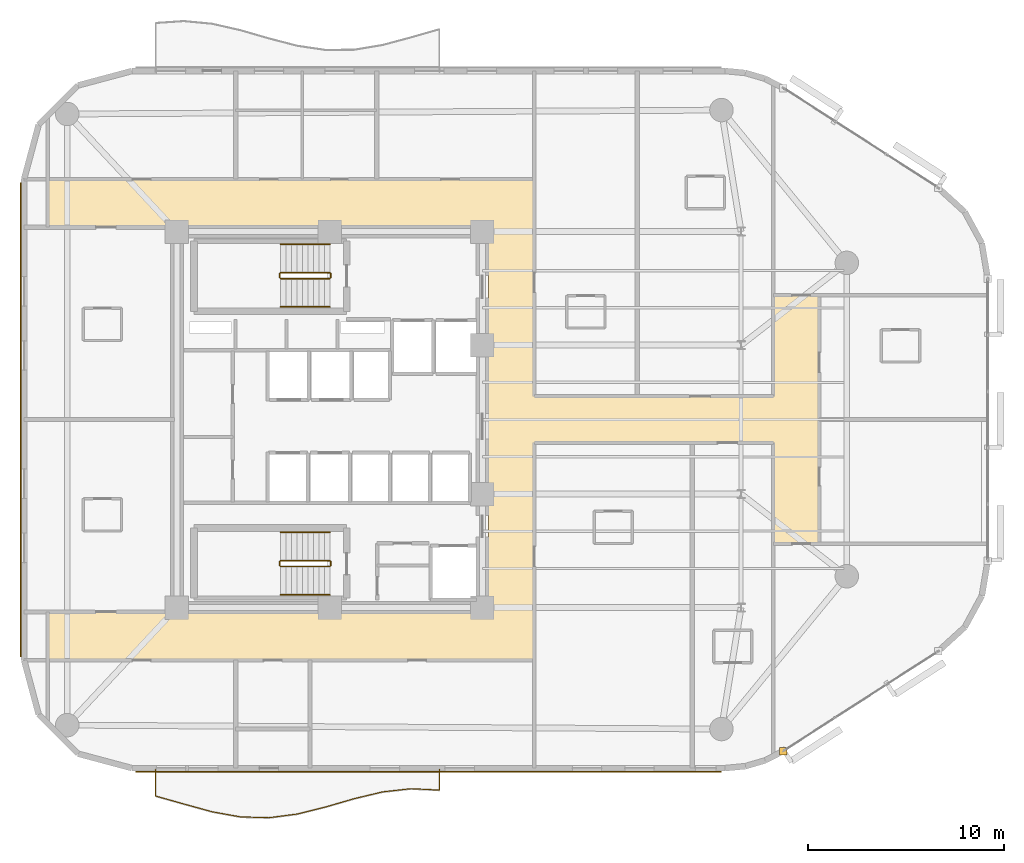
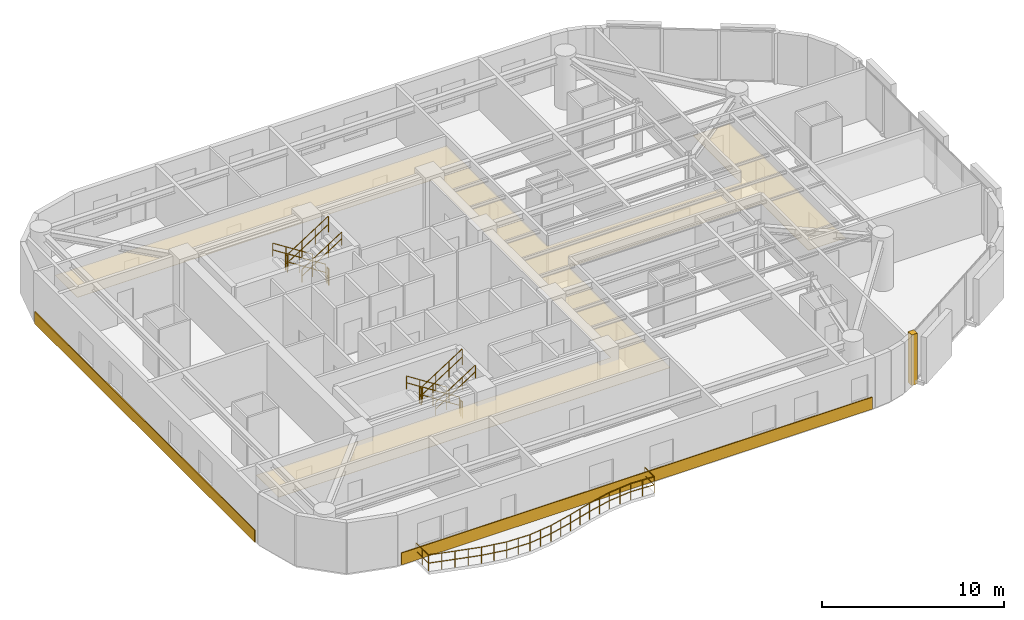
# One storey, part 14 of 15: 13 railings, 4 coverings.
"""IFC4 building model written with IfcOpenShell, lengths in metres."""

from ifc_helpers import new_model, si_unit, direction, frame, origin, origin_2d, place, context, subcontext, project, spatial, polyline, rectangle, circle, outline, extrude, material, layer, layer_set, type_object, element, save


model = new_model("IFC4")

# Units and contexts
model_context = context("Model", 3, precision=1e-05, world=origin(), true_north=direction((0.0, 1.0)))
body_context = subcontext(model_context, "Body", "Model", "MODEL_VIEW")
ifc_project = project(units=[si_unit("LENGTHUNIT", "METRE"), si_unit("AREAUNIT", "SQUARE_METRE"), si_unit("VOLUMEUNIT", "CUBIC_METRE"), si_unit("PLANEANGLEUNIT", "RADIAN"), si_unit("MASSUNIT", "GRAM", prefix="KILO")], contexts=[model_context])

# Site, building, storey
site_placement = place(None, origin())
site = spatial("IfcSite", under=ifc_project, at=site_placement, CompositionType="ELEMENT")
building_placement = place(site_placement, origin())
building = spatial("IfcBuilding", under=site, at=building_placement, Name="An Khanh Terracotta Commons", CompositionType="ELEMENT")
storey_placement = place(building_placement, frame((0.0, 0.0, 147.39990234375)))
storey = spatial("IfcBuildingStorey", under=building, at=storey_placement, Name="L38", CompositionType="ELEMENT", Elevation=147.39990234375)

# Coverings
ifc_material_1 = material(Name="Perforated Mineral-Fibre Acoustic Tile")
ifc_layer_1 = layer(ifc_material_1, 0.02001953125, Name="Perforated Mineral-Fibre Acoustic Tile")
ifc_layer_set_1 = layer_set([ifc_layer_1], Name="Perforated Mineral-Fibre Acoustic Tile")
covering_type_1 = type_object("IfcCoveringType", Name="CEIL-ACOUSTIC-18", PredefinedType="CEILING", material=ifc_layer_set_1)
covering_1_placement = place(storey_placement, frame((0.0, 0.0, 2.650146484375)))
element("IfcCovering", 1, at=covering_1_placement, inside=storey, type_object=covering_type_1, Name="L38 Corridor Ceiling", PredefinedType="CEILING", context=body_context, shape_type="SweptSolid", body=[
    extrude(outline(polyline([(15.0, 11.719970703125), (15.0, 14.179931640625), (37.5, 14.179931640625), (37.5, 33.820068359375), (15.0, 33.820068359375), (15.0, 36.280029296875), (37.5, 36.280029296875), (39.85009765625, 36.280029296875), (39.85009765625, 33.820068359375), (39.85009765625, 25.179931640625), (52.050048828125, 25.179931640625), (52.050048828125, 30.35009765625), (54.39990234375, 30.35009765625), (54.39990234375, 25.179931640625), (54.39990234375, 22.820068359375), (54.39990234375, 17.64990234375), (52.050048828125, 17.64990234375), (52.050048828125, 22.820068359375), (39.85009765625, 22.820068359375), (39.85009765625, 14.179931640625), (39.85009765625, 11.719970703125), (37.5, 11.719970703125), (15.0, 11.719970703125)])), origin(), (0.0, 0.0, 1.0), 0.02001953125),
])
ifc_material_2 = material(Name="Fired Terracotta Rainscreen Cladding", Category="masonry")
ifc_layer_2 = layer(ifc_material_2, 0.080078125, Name="Fired Terracotta Rainscreen Cladding")
ifc_layer_set_2 = layer_set([ifc_layer_2], Name="Fired Terracotta Rainscreen Cladding")
covering_type_2 = type_object("IfcCoveringType", Name="COV-JAMB-TERRA", PredefinedType="CLADDING", material=ifc_layer_set_2)
covering_2_placement = place(storey_placement, frame((52.56005859375, 7.075927734375, 0.000244140625), z_axis=(0.0, 0.0, 1.0), x_axis=(1.0, 0.0, 0.0)))
element("IfcCovering", 2, at=covering_2_placement, inside=storey, type_object=covering_type_2, Name="L38 CW-03 Curtain-Wall Jamb Closure JA", PredefinedType="CLADDING", context=body_context, shape_type="SweptSolid", body=[
    extrude(rectangle(XDim=0.3798828125, YDim=0.3798828125, at=origin_2d()), origin(), (0.0, 0.0, 1.0), 3.39990234375),
])
ifc_layer_3 = layer(ifc_material_2, 0.06005859375, Name="Fired Terracotta Rainscreen Cladding")
ifc_layer_set_3 = layer_set([ifc_layer_3], Name="Fired Terracotta Rainscreen Cladding")
covering_type_3 = type_object("IfcCoveringType", Name="COV-SPANDREL-TERRA", PredefinedType="CLADDING", material=ifc_layer_set_3)
covering_3_placement = place(storey_placement, frame((34.44091796875, 6.02001953125, 0.02001953125), z_axis=(0.0, 0.0, 1.0), x_axis=(1.0, 0.0, 0.0)))
element("IfcCovering", 3, at=covering_3_placement, inside=storey, type_object=covering_type_3, Name="L38 Terracotta Spandrel Cladding 4", PredefinedType="CLADDING", context=body_context, shape_type="SweptSolid", body=[
    extrude(rectangle(XDim=29.882080078125, YDim=0.06005859375, at=origin_2d()), origin(), (0.0, 0.0, 1.0), 0.800048828125),
])
covering_4_placement = place(storey_placement, frame((13.6201171875, 24.0, 0.02001953125), z_axis=(0.0, 0.0, 1.0), x_axis=(0.0, -1.0, 0.0)))
element("IfcCovering", 4, at=covering_4_placement, inside=storey, type_object=covering_type_3, Name="L38 Terracotta Spandrel Cladding 24", PredefinedType="CLADDING", context=body_context, shape_type="SweptSolid", body=[
    extrude(rectangle(XDim=24.199951171875, YDim=0.06005859375, at=origin_2d()), origin(), (0.0, 0.0, 1.0), 0.800048828125),
])

# Railings
ifc_material_3 = material(Name="Brushed Stainless Steel 316", Category="steel")
railing_type_1 = type_object("IfcRailingType", Name="RAIL-BALUSTRADE-1100", PredefinedType="BALUSTRADE", material=ifc_material_3)
railing_1_placement = place(storey_placement, frame((20.5, 6.139892578125, 0.0)))
element("IfcRailing", 5, at=railing_1_placement, inside=storey, type_object=railing_type_1, Name="L38 S Wave Balcony Guard Balustrade", PredefinedType="BALUSTRADE", context=body_context, shape_type="SweptSolid", body=[
    extrude(circle(Radius=0.02392578125, at=origin_2d()), frame((0.0, 0.0, 1.076171875), z_axis=(0.0, -1.0, 0.0), x_axis=(1.0, 0.0, 0.0)), (0.0, 0.0, 1.0), 1.35498046875),
    extrude(circle(Radius=0.02392578125, at=origin_2d()), frame((0.0, 0.0, 0.52587890625), z_axis=(0.0, -1.0, 0.0), x_axis=(1.0, 0.0, 0.0)), (0.0, 0.0, 1.0), 1.35498046875),
    extrude(circle(Radius=0.02392578125, at=origin_2d()), frame((0.0, -1.35498046875, 1.076171875), z_axis=(0.962454018427, -0.271444768625, 0.0), x_axis=(0.271444768625, 0.962454018427, 0.0)), (0.0, 0.0, 1.0), 1.506591796875),
    extrude(circle(Radius=0.02392578125, at=origin_2d()), frame((0.0, -1.35498046875, 0.52587890625), z_axis=(0.962454018427, -0.271444768625, 0.0), x_axis=(0.271444768625, 0.962454018427, 0.0)), (0.0, 0.0, 1.0), 1.506591796875),
    extrude(circle(Radius=0.02392578125, at=origin_2d()), frame((1.449951171875, -1.763916015625, 1.076171875), z_axis=(0.964173218361, -0.265273453242, 0.0), x_axis=(0.265273453242, 0.964173218361, 0.0)), (0.0, 0.0, 1.0), 1.50390625),
    extrude(circle(Radius=0.02392578125, at=origin_2d()), frame((1.449951171875, -1.763916015625, 0.52587890625), z_axis=(0.964173218361, -0.265273453242, 0.0), x_axis=(0.265273453242, 0.964173218361, 0.0)), (0.0, 0.0, 1.0), 1.50390625),
    extrude(circle(Radius=0.02392578125, at=origin_2d()), frame((2.89990234375, -2.162841796875, 1.076171875), z_axis=(0.984073373792, -0.177762749172, 0.0), x_axis=(0.177762749172, 0.984073373792, 0.0)), (0.0, 0.0, 1.0), 1.4736328125),
    extrude(circle(Radius=0.02392578125, at=origin_2d()), frame((2.89990234375, -2.162841796875, 0.52587890625), z_axis=(0.984073373792, -0.177762749172, 0.0), x_axis=(0.177762749172, 0.984073373792, 0.0)), (0.0, 0.0, 1.0), 1.4736328125),
    extrude(circle(Radius=0.02392578125, at=origin_2d()), frame((4.35009765625, -2.4248046875, 1.076171875), z_axis=(0.999580890837, -0.028948966699, 0.0), x_axis=(0.028948966699, 0.999580890837, 0.0)), (0.0, 0.0, 1.0), 1.450439453125),
    extrude(circle(Radius=0.02392578125, at=origin_2d()), frame((4.35009765625, -2.4248046875, 0.52587890625), z_axis=(0.999580890837, -0.028948966699, 0.0), x_axis=(0.028948966699, 0.999580890837, 0.0)), (0.0, 0.0, 1.0), 1.450439453125),
    extrude(circle(Radius=0.02392578125, at=origin_2d()), frame((5.800048828125, -2.466796875, 1.076171875), z_axis=(0.991528574992, 0.129888740755, 0.0), x_axis=(-0.129888740755, 0.991528574992, 0.0)), (0.0, 0.0, 1.0), 1.46240234375),
    extrude(circle(Radius=0.02392578125, at=origin_2d()), frame((5.800048828125, -2.466796875, 0.52587890625), z_axis=(0.991528574992, 0.129888740755, 0.0), x_axis=(-0.129888740755, 0.991528574992, 0.0)), (0.0, 0.0, 1.0), 1.46240234375),
    extrude(circle(Radius=0.02392578125, at=origin_2d()), frame((7.25, -2.27685546875, 1.076171875), z_axis=(0.970209729733, 0.242266548105, 0.0), x_axis=(-0.242266548105, 0.970209729733, 0.0)), (0.0, 0.0, 1.0), 1.494384765625),
    extrude(circle(Radius=0.02392578125, at=origin_2d()), frame((7.25, -2.27685546875, 0.52587890625), z_axis=(0.970209729733, 0.242266548105, 0.0), x_axis=(-0.242266548105, 0.970209729733, 0.0)), (0.0, 0.0, 1.0), 1.494384765625),
    extrude(circle(Radius=0.02392578125, at=origin_2d()), frame((8.699951171875, -1.914794921875, 1.076171875), z_axis=(0.960356002851, 0.278776519434, 0.0), x_axis=(-0.278776519434, 0.960356002851, 0.0)), (0.0, 0.0, 1.0), 1.509765625),
    extrude(circle(Radius=0.02392578125, at=origin_2d()), frame((8.699951171875, -1.914794921875, 0.52587890625), z_axis=(0.960356002851, 0.278776519434, 0.0), x_axis=(-0.278776519434, 0.960356002851, 0.0)), (0.0, 0.0, 1.0), 1.509765625),
    extrude(circle(Radius=0.02392578125, at=origin_2d()), frame((10.14990234375, -1.493896484375, 1.076171875), z_axis=(0.97255795483, 0.2326607498, 0.0), x_axis=(-0.2326607498, 0.97255795483, 0.0)), (0.0, 0.0, 1.0), 1.4912109375),
    extrude(circle(Radius=0.02392578125, at=origin_2d()), frame((10.14990234375, -1.493896484375, 0.52587890625), z_axis=(0.97255795483, 0.2326607498, 0.0), x_axis=(-0.2326607498, 0.97255795483, 0.0)), (0.0, 0.0, 1.0), 1.4912109375),
    extrude(circle(Radius=0.02392578125, at=origin_2d()), frame((11.60009765625, -1.14697265625, 1.076171875), z_axis=(0.993807997131, 0.11111104733, 0.0), x_axis=(-0.11111104733, 0.993807997131, 0.0)), (0.0, 0.0, 1.0), 1.458984375),
    extrude(circle(Radius=0.02392578125, at=origin_2d()), frame((11.60009765625, -1.14697265625, 0.52587890625), z_axis=(0.993807997131, 0.11111104733, 0.0), x_axis=(-0.11111104733, 0.993807997131, 0.0)), (0.0, 0.0, 1.0), 1.458984375),
    extrude(circle(Radius=0.02392578125, at=origin_2d()), frame((13.050048828125, -0.98486328125, 1.076171875), z_axis=(0.998768641109, -0.049610498253, 0.0), x_axis=(0.049610498253, 0.998768641109, 0.0)), (0.0, 0.0, 1.0), 1.45166015625),
    extrude(circle(Radius=0.02392578125, at=origin_2d()), frame((13.050048828125, -0.98486328125, 0.52587890625), z_axis=(0.998768641109, -0.049610498253, 0.0), x_axis=(0.049610498253, 0.998768641109, 0.0)), (0.0, 0.0, 1.0), 1.45166015625),
    extrude(circle(Radius=0.02392578125, at=origin_2d()), frame((14.5, -1.056884765625, 1.076171875), z_axis=(0.0, 1.0, 0.0), x_axis=(-1.0, 0.0, 0.0)), (0.0, 0.0, 1.0), 1.056884765625),
    extrude(circle(Radius=0.02392578125, at=origin_2d()), frame((14.5, -1.056884765625, 0.52587890625), z_axis=(0.0, 1.0, 0.0), x_axis=(-1.0, 0.0, 0.0)), (0.0, 0.0, 1.0), 1.056884765625),
    extrude(circle(Radius=0.02099609375, at=origin_2d()), origin(), (0.0, 0.0, 1.0), 1.052001953125),
    extrude(circle(Radius=0.02099609375, at=origin_2d()), frame((0.0, -0.677490234375, 0.0)), (0.0, 0.0, 1.0), 1.052001953125),
    extrude(circle(Radius=0.02099609375, at=origin_2d()), frame((0.0, -1.35498046875, 0.0)), (0.0, 0.0, 1.0), 1.052001953125),
    extrude(circle(Radius=0.02099609375, at=origin_2d()), frame((0.72509765625, -1.5595703125, 0.0)), (0.0, 0.0, 1.0), 1.052001953125),
    extrude(circle(Radius=0.02099609375, at=origin_2d()), frame((1.449951171875, -1.763916015625, 0.0)), (0.0, 0.0, 1.0), 1.052001953125),
    extrude(circle(Radius=0.02099609375, at=origin_2d()), frame((2.1748046875, -1.96337890625, 0.0)), (0.0, 0.0, 1.0), 1.052001953125),
    extrude(circle(Radius=0.02099609375, at=origin_2d()), frame((2.89990234375, -2.162841796875, 0.0)), (0.0, 0.0, 1.0), 1.052001953125),
    extrude(circle(Radius=0.02099609375, at=origin_2d()), frame((3.625, -2.2939453125, 0.0)), (0.0, 0.0, 1.0), 1.052001953125),
    extrude(circle(Radius=0.02099609375, at=origin_2d()), frame((4.35009765625, -2.4248046875, 0.0)), (0.0, 0.0, 1.0), 1.052001953125),
    extrude(circle(Radius=0.02099609375, at=origin_2d()), frame((5.0751953125, -2.44580078125, 0.0)), (0.0, 0.0, 1.0), 1.052001953125),
    extrude(circle(Radius=0.02099609375, at=origin_2d()), frame((5.800048828125, -2.466796875, 0.0)), (0.0, 0.0, 1.0), 1.052001953125),
    extrude(circle(Radius=0.02099609375, at=origin_2d()), frame((6.52490234375, -2.371826171875, 0.0)), (0.0, 0.0, 1.0), 1.052001953125),
    extrude(circle(Radius=0.02099609375, at=origin_2d()), frame((7.25, -2.27685546875, 0.0)), (0.0, 0.0, 1.0), 1.052001953125),
    extrude(circle(Radius=0.02099609375, at=origin_2d()), frame((7.97509765625, -2.095703125, 0.0)), (0.0, 0.0, 1.0), 1.052001953125),
    extrude(circle(Radius=0.02099609375, at=origin_2d()), frame((8.699951171875, -1.914794921875, 0.0)), (0.0, 0.0, 1.0), 1.052001953125),
    extrude(circle(Radius=0.02099609375, at=origin_2d()), frame((9.4248046875, -1.704345703125, 0.0)), (0.0, 0.0, 1.0), 1.052001953125),
    extrude(circle(Radius=0.02099609375, at=origin_2d()), frame((10.14990234375, -1.493896484375, 0.0)), (0.0, 0.0, 1.0), 1.052001953125),
    extrude(circle(Radius=0.02099609375, at=origin_2d()), frame((10.875, -1.3203125, 0.0)), (0.0, 0.0, 1.0), 1.052001953125),
    extrude(circle(Radius=0.02099609375, at=origin_2d()), frame((11.60009765625, -1.14697265625, 0.0)), (0.0, 0.0, 1.0), 1.052001953125),
    extrude(circle(Radius=0.02099609375, at=origin_2d()), frame((12.3251953125, -1.06591796875, 0.0)), (0.0, 0.0, 1.0), 1.052001953125),
    extrude(circle(Radius=0.02099609375, at=origin_2d()), frame((13.050048828125, -0.98486328125, 0.0)), (0.0, 0.0, 1.0), 1.052001953125),
    extrude(circle(Radius=0.02099609375, at=origin_2d()), frame((13.77490234375, -1.02099609375, 0.0)), (0.0, 0.0, 1.0), 1.052001953125),
    extrude(circle(Radius=0.02099609375, at=origin_2d()), frame((14.5, -1.056884765625, 0.0)), (0.0, 0.0, 1.0), 1.052001953125),
    extrude(circle(Radius=0.02099609375, at=origin_2d()), frame((14.5, 0.0, 0.0)), (0.0, 0.0, 1.0), 1.052001953125),
])
railing_type_2 = type_object("IfcRailingType", Name="RAIL-HANDRAIL-900", PredefinedType="HANDRAIL", material=ifc_material_3)
railing_2_placement = place(storey_placement, frame((29.409912109375, 32.949951171875, 0.18017578125)))
element("IfcRailing", 6, at=railing_2_placement, inside=storey, type_object=railing_type_2, Name="L38 ST-01 stair handrail 1", PredefinedType="HANDRAIL", context=body_context, shape_type="SweptSolid", body=[
    extrude(circle(Radius=0.02392578125, at=origin_2d()), frame((0.0, 0.0, 0.8759765625), z_axis=(-0.841199657755, 0.0, 0.540724639528), x_axis=(0.0, -1.0, 0.0)), (0.0, 0.0, 1.0), 2.995849609375),
    extrude(circle(Radius=0.02392578125, at=origin_2d()), frame((0.0, 0.0, 0.42578125), z_axis=(-0.841199657755, 0.0, 0.540724639528), x_axis=(0.0, -1.0, 0.0)), (0.0, 0.0, 1.0), 2.995849609375),
    extrude(circle(Radius=0.02099609375, at=origin_2d()), origin(), (0.0, 0.0, 1.0), 0.851806640625),
    extrude(circle(Radius=0.02099609375, at=origin_2d()), frame((-0.840087890625, 0.0, 0.5400390625)), (0.0, 0.0, 1.0), 0.851806640625),
    extrude(circle(Radius=0.02099609375, at=origin_2d()), frame((-1.679931640625, 0.0, 1.079833984375)), (0.0, 0.0, 1.0), 0.851806640625),
    extrude(circle(Radius=0.02099609375, at=origin_2d()), frame((-2.52001953125, 0.0, 1.619873046875)), (0.0, 0.0, 1.0), 0.851806640625),
])
railing_3_placement = place(storey_placement, frame((26.889892578125, 29.75, 1.97998046875)))
element("IfcRailing", 7, at=railing_3_placement, inside=storey, type_object=railing_type_2, Name="L38 ST-01 stair handrail 2", PredefinedType="HANDRAIL", context=body_context, shape_type="SweptSolid", body=[
    extrude(circle(Radius=0.02392578125, at=origin_2d()), frame((0.0, 0.0, 0.8759765625), z_axis=(0.841162588446, 0.0, 0.540782303519), x_axis=(0.0, 1.0, 0.0)), (0.0, 0.0, 1.0), 2.995849609375),
    extrude(circle(Radius=0.02392578125, at=origin_2d()), frame((0.0, 0.0, 0.42578125), z_axis=(0.841162588446, 0.0, 0.540782303519), x_axis=(0.0, 1.0, 0.0)), (0.0, 0.0, 1.0), 2.995849609375),
    extrude(circle(Radius=0.02099609375, at=origin_2d()), origin(), (0.0, 0.0, 1.0), 0.851806640625),
    extrude(circle(Radius=0.02099609375, at=origin_2d()), frame((0.840087890625, 0.0, 0.5400390625)), (0.0, 0.0, 1.0), 0.851806640625),
    extrude(circle(Radius=0.02099609375, at=origin_2d()), frame((1.679931640625, 0.0, 1.080078125)), (0.0, 0.0, 1.0), 0.851806640625),
    extrude(circle(Radius=0.02099609375, at=origin_2d()), frame((2.52001953125, 0.0, 1.6201171875)), (0.0, 0.0, 1.0), 0.851806640625),
])
railing_4_placement = place(storey_placement, frame((29.409912109375, 18.25, 0.18017578125)))
element("IfcRailing", 8, at=railing_4_placement, inside=storey, type_object=railing_type_2, Name="L38 ST-02 stair handrail 1", PredefinedType="HANDRAIL", context=body_context, shape_type="SweptSolid", body=[
    extrude(circle(Radius=0.02392578125, at=origin_2d()), frame((0.0, 0.0, 0.8759765625), z_axis=(-0.841199657755, 0.0, 0.540724639528), x_axis=(0.0, -1.0, 0.0)), (0.0, 0.0, 1.0), 2.995849609375),
    extrude(circle(Radius=0.02392578125, at=origin_2d()), frame((0.0, 0.0, 0.42578125), z_axis=(-0.841199657755, 0.0, 0.540724639528), x_axis=(0.0, -1.0, 0.0)), (0.0, 0.0, 1.0), 2.995849609375),
    extrude(circle(Radius=0.02099609375, at=origin_2d()), origin(), (0.0, 0.0, 1.0), 0.851806640625),
    extrude(circle(Radius=0.02099609375, at=origin_2d()), frame((-0.840087890625, 0.0, 0.5400390625)), (0.0, 0.0, 1.0), 0.851806640625),
    extrude(circle(Radius=0.02099609375, at=origin_2d()), frame((-1.679931640625, 0.0, 1.079833984375)), (0.0, 0.0, 1.0), 0.851806640625),
    extrude(circle(Radius=0.02099609375, at=origin_2d()), frame((-2.52001953125, 0.0, 1.619873046875)), (0.0, 0.0, 1.0), 0.851806640625),
])
railing_5_placement = place(storey_placement, frame((26.889892578125, 15.050048828125, 1.97998046875)))
element("IfcRailing", 9, at=railing_5_placement, inside=storey, type_object=railing_type_2, Name="L38 ST-02 stair handrail 2", PredefinedType="HANDRAIL", context=body_context, shape_type="SweptSolid", body=[
    extrude(circle(Radius=0.02392578125, at=origin_2d()), frame((0.0, 0.0, 0.8759765625), z_axis=(0.841162588446, 0.0, 0.540782303519), x_axis=(0.0, 1.0, 0.0)), (0.0, 0.0, 1.0), 2.995849609375),
    extrude(circle(Radius=0.02392578125, at=origin_2d()), frame((0.0, 0.0, 0.42578125), z_axis=(0.841162588446, 0.0, 0.540782303519), x_axis=(0.0, 1.0, 0.0)), (0.0, 0.0, 1.0), 2.995849609375),
    extrude(circle(Radius=0.02099609375, at=origin_2d()), origin(), (0.0, 0.0, 1.0), 0.851806640625),
    extrude(circle(Radius=0.02099609375, at=origin_2d()), frame((0.840087890625, 0.0, 0.5400390625)), (0.0, 0.0, 1.0), 0.851806640625),
    extrude(circle(Radius=0.02099609375, at=origin_2d()), frame((1.679931640625, 0.0, 1.080078125)), (0.0, 0.0, 1.0), 0.851806640625),
    extrude(circle(Radius=0.02099609375, at=origin_2d()), frame((2.52001953125, 0.0, 1.6201171875)), (0.0, 0.0, 1.0), 0.851806640625),
])
ifc_material_4 = material(Name="Powder-Coated Steel S355J2", Category="steel")
railing_type_3 = type_object("IfcRailingType", Name="RAIL-STAIR-GUARD-1100", PredefinedType="BALUSTRADE", material=ifc_material_4)
railing_6_placement = place(storey_placement, frame((29.409912109375, 31.5, 0.18017578125)))
element("IfcRailing", 10, at=railing_6_placement, inside=storey, type_object=railing_type_3, Name="L38 ST-01 stair guard 1", PredefinedType="BALUSTRADE", context=body_context, shape_type="SweptSolid", body=[
    extrude(circle(Radius=0.02392578125, at=origin_2d()), frame((0.0, 0.0, 1.076171875), z_axis=(-0.841199657755, 0.0, 0.540724639528), x_axis=(0.0, -1.0, 0.0)), (0.0, 0.0, 1.0), 2.995849609375),
    extrude(circle(Radius=0.02392578125, at=origin_2d()), frame((0.0, 0.0, 0.52587890625), z_axis=(-0.841199657755, 0.0, 0.540724639528), x_axis=(0.0, -1.0, 0.0)), (0.0, 0.0, 1.0), 2.995849609375),
    extrude(circle(Radius=0.02099609375, at=origin_2d()), origin(), (0.0, 0.0, 1.0), 1.052001953125),
    extrude(circle(Radius=0.02099609375, at=origin_2d()), frame((-0.840087890625, 0.0, 0.5400390625)), (0.0, 0.0, 1.0), 1.052001953125),
    extrude(circle(Radius=0.02099609375, at=origin_2d()), frame((-1.679931640625, 0.0, 1.079833984375)), (0.0, 0.0, 1.0), 1.052001953125),
    extrude(circle(Radius=0.02099609375, at=origin_2d()), frame((-2.52001953125, 0.0, 1.619873046875)), (0.0, 0.0, 1.0), 1.052001953125),
])
railing_7_placement = place(storey_placement, frame((26.840087890625, 31.449951171875, 1.800048828125)))
element("IfcRailing", 11, at=railing_7_placement, inside=storey, type_object=railing_type_3, Name="L38 ST-01 stair guard 2", PredefinedType="BALUSTRADE", context=body_context, shape_type="SweptSolid", body=[
    extrude(circle(Radius=0.02392578125, at=origin_2d()), frame((0.0, 0.0, 1.076171875), z_axis=(0.0, -1.0, 0.0), x_axis=(1.0, 0.0, 0.0)), (0.0, 0.0, 1.0), 0.199951171875),
    extrude(circle(Radius=0.02392578125, at=origin_2d()), frame((0.0, 0.0, 0.52587890625), z_axis=(0.0, -1.0, 0.0), x_axis=(1.0, 0.0, 0.0)), (0.0, 0.0, 1.0), 0.199951171875),
    extrude(circle(Radius=0.02099609375, at=origin_2d()), origin(), (0.0, 0.0, 1.0), 1.052001953125),
    extrude(circle(Radius=0.02099609375, at=origin_2d()), frame((0.0, -0.199951171875, 0.0)), (0.0, 0.0, 1.0), 1.052001953125),
])
railing_8_placement = place(storey_placement, frame((26.889892578125, 31.199951171875, 1.97998046875)))
element("IfcRailing", 12, at=railing_8_placement, inside=storey, type_object=railing_type_3, Name="L38 ST-01 stair guard 3", PredefinedType="BALUSTRADE", context=body_context, shape_type="SweptSolid", body=[
    extrude(circle(Radius=0.02392578125, at=origin_2d()), frame((0.0, 0.0, 1.076171875), z_axis=(0.841162588446, 0.0, 0.540782303519), x_axis=(0.0, 1.0, 0.0)), (0.0, 0.0, 1.0), 2.995849609375),
    extrude(circle(Radius=0.02392578125, at=origin_2d()), frame((0.0, 0.0, 0.52587890625), z_axis=(0.841162588446, 0.0, 0.540782303519), x_axis=(0.0, 1.0, 0.0)), (0.0, 0.0, 1.0), 2.995849609375),
    extrude(circle(Radius=0.02099609375, at=origin_2d()), origin(), (0.0, 0.0, 1.0), 1.052001953125),
    extrude(circle(Radius=0.02099609375, at=origin_2d()), frame((0.840087890625, 0.0, 0.5400390625)), (0.0, 0.0, 1.0), 1.052001953125),
    extrude(circle(Radius=0.02099609375, at=origin_2d()), frame((1.679931640625, 0.0, 1.080078125)), (0.0, 0.0, 1.0), 1.052001953125),
    extrude(circle(Radius=0.02099609375, at=origin_2d()), frame((2.52001953125, 0.0, 1.6201171875)), (0.0, 0.0, 1.0), 1.052001953125),
])
railing_9_placement = place(storey_placement, frame((29.4599609375, 31.449951171875, 0.0)))
element("IfcRailing", 13, at=railing_9_placement, inside=storey, type_object=railing_type_3, Name="L38 ST-01 stair guard 4", PredefinedType="BALUSTRADE", context=body_context, shape_type="SweptSolid", body=[
    extrude(circle(Radius=0.02392578125, at=origin_2d()), frame((0.0, 0.0, 1.076171875), z_axis=(0.0, -1.0, 0.0), x_axis=(1.0, 0.0, 0.0)), (0.0, 0.0, 1.0), 0.199951171875),
    extrude(circle(Radius=0.02392578125, at=origin_2d()), frame((0.0, 0.0, 0.52587890625), z_axis=(0.0, -1.0, 0.0), x_axis=(1.0, 0.0, 0.0)), (0.0, 0.0, 1.0), 0.199951171875),
    extrude(circle(Radius=0.02099609375, at=origin_2d()), origin(), (0.0, 0.0, 1.0), 1.052001953125),
    extrude(circle(Radius=0.02099609375, at=origin_2d()), frame((0.0, -0.199951171875, 0.0)), (0.0, 0.0, 1.0), 1.052001953125),
])
railing_10_placement = place(storey_placement, frame((29.409912109375, 16.800048828125, 0.18017578125)))
element("IfcRailing", 14, at=railing_10_placement, inside=storey, type_object=railing_type_3, Name="L38 ST-02 stair guard 1", PredefinedType="BALUSTRADE", context=body_context, shape_type="SweptSolid", body=[
    extrude(circle(Radius=0.02392578125, at=origin_2d()), frame((0.0, 0.0, 1.076171875), z_axis=(-0.841199657755, 0.0, 0.540724639528), x_axis=(0.0, -1.0, 0.0)), (0.0, 0.0, 1.0), 2.995849609375),
    extrude(circle(Radius=0.02392578125, at=origin_2d()), frame((0.0, 0.0, 0.52587890625), z_axis=(-0.841199657755, 0.0, 0.540724639528), x_axis=(0.0, -1.0, 0.0)), (0.0, 0.0, 1.0), 2.995849609375),
    extrude(circle(Radius=0.02099609375, at=origin_2d()), origin(), (0.0, 0.0, 1.0), 1.052001953125),
    extrude(circle(Radius=0.02099609375, at=origin_2d()), frame((-0.840087890625, 0.0, 0.5400390625)), (0.0, 0.0, 1.0), 1.052001953125),
    extrude(circle(Radius=0.02099609375, at=origin_2d()), frame((-1.679931640625, 0.0, 1.079833984375)), (0.0, 0.0, 1.0), 1.052001953125),
    extrude(circle(Radius=0.02099609375, at=origin_2d()), frame((-2.52001953125, 0.0, 1.619873046875)), (0.0, 0.0, 1.0), 1.052001953125),
])
railing_11_placement = place(storey_placement, frame((26.840087890625, 16.75, 1.800048828125)))
element("IfcRailing", 15, at=railing_11_placement, inside=storey, type_object=railing_type_3, Name="L38 ST-02 stair guard 2", PredefinedType="BALUSTRADE", context=body_context, shape_type="SweptSolid", body=[
    extrude(circle(Radius=0.02392578125, at=origin_2d()), frame((0.0, 0.0, 1.076171875), z_axis=(0.0, -1.0, 0.0), x_axis=(1.0, 0.0, 0.0)), (0.0, 0.0, 1.0), 0.199951171875),
    extrude(circle(Radius=0.02392578125, at=origin_2d()), frame((0.0, 0.0, 0.52587890625), z_axis=(0.0, -1.0, 0.0), x_axis=(1.0, 0.0, 0.0)), (0.0, 0.0, 1.0), 0.199951171875),
    extrude(circle(Radius=0.02099609375, at=origin_2d()), origin(), (0.0, 0.0, 1.0), 1.052001953125),
    extrude(circle(Radius=0.02099609375, at=origin_2d()), frame((0.0, -0.199951171875, 0.0)), (0.0, 0.0, 1.0), 1.052001953125),
])
railing_12_placement = place(storey_placement, frame((26.889892578125, 16.5, 1.97998046875)))
element("IfcRailing", 16, at=railing_12_placement, inside=storey, type_object=railing_type_3, Name="L38 ST-02 stair guard 3", PredefinedType="BALUSTRADE", context=body_context, shape_type="SweptSolid", body=[
    extrude(circle(Radius=0.02392578125, at=origin_2d()), frame((0.0, 0.0, 1.076171875), z_axis=(0.841162588446, 0.0, 0.540782303519), x_axis=(0.0, 1.0, 0.0)), (0.0, 0.0, 1.0), 2.995849609375),
    extrude(circle(Radius=0.02392578125, at=origin_2d()), frame((0.0, 0.0, 0.52587890625), z_axis=(0.841162588446, 0.0, 0.540782303519), x_axis=(0.0, 1.0, 0.0)), (0.0, 0.0, 1.0), 2.995849609375),
    extrude(circle(Radius=0.02099609375, at=origin_2d()), origin(), (0.0, 0.0, 1.0), 1.052001953125),
    extrude(circle(Radius=0.02099609375, at=origin_2d()), frame((0.840087890625, 0.0, 0.5400390625)), (0.0, 0.0, 1.0), 1.052001953125),
    extrude(circle(Radius=0.02099609375, at=origin_2d()), frame((1.679931640625, 0.0, 1.080078125)), (0.0, 0.0, 1.0), 1.052001953125),
    extrude(circle(Radius=0.02099609375, at=origin_2d()), frame((2.52001953125, 0.0, 1.6201171875)), (0.0, 0.0, 1.0), 1.052001953125),
])
railing_13_placement = place(storey_placement, frame((29.4599609375, 16.75, 0.0)))
element("IfcRailing", 17, at=railing_13_placement, inside=storey, type_object=railing_type_3, Name="L38 ST-02 stair guard 4", PredefinedType="BALUSTRADE", context=body_context, shape_type="SweptSolid", body=[
    extrude(circle(Radius=0.02392578125, at=origin_2d()), frame((0.0, 0.0, 1.076171875), z_axis=(0.0, -1.0, 0.0), x_axis=(1.0, 0.0, 0.0)), (0.0, 0.0, 1.0), 0.199951171875),
    extrude(circle(Radius=0.02392578125, at=origin_2d()), frame((0.0, 0.0, 0.52587890625), z_axis=(0.0, -1.0, 0.0), x_axis=(1.0, 0.0, 0.0)), (0.0, 0.0, 1.0), 0.199951171875),
    extrude(circle(Radius=0.02099609375, at=origin_2d()), origin(), (0.0, 0.0, 1.0), 1.052001953125),
    extrude(circle(Radius=0.02099609375, at=origin_2d()), frame((0.0, -0.199951171875, 0.0)), (0.0, 0.0, 1.0), 1.052001953125),
])

save(model, "model.ifc")
